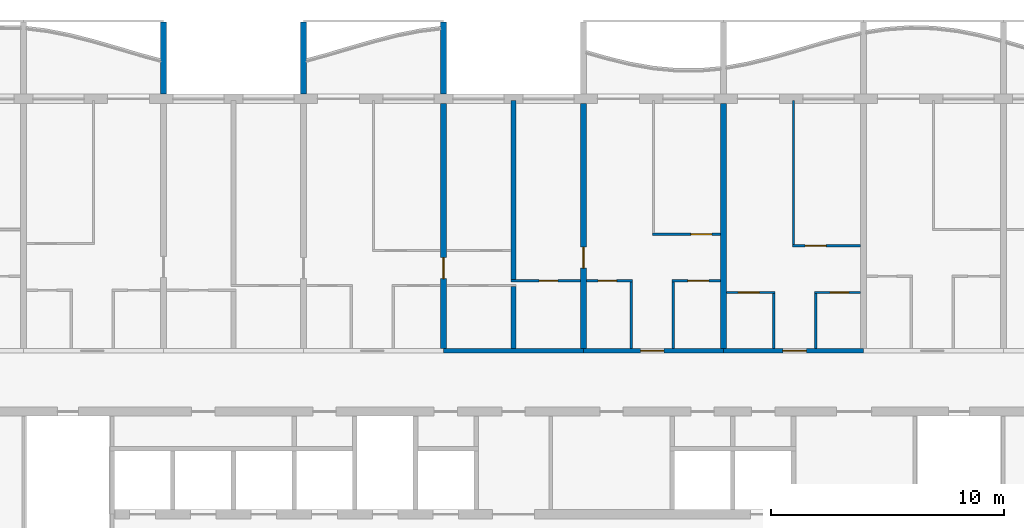
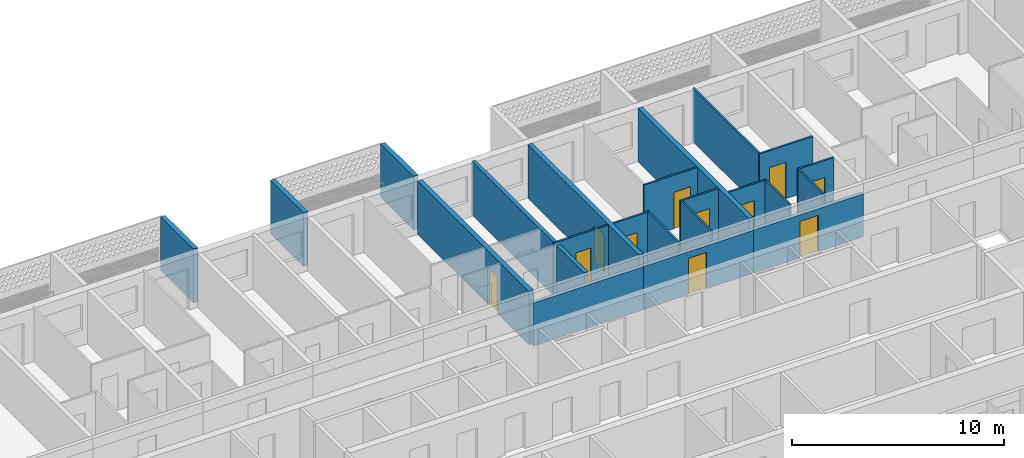
# One storey, part 9 of 28: 23 walls, 11 doors, 11 openings.
"""IFC4 building model written with IfcOpenShell, lengths in metres."""

from ifc_helpers import new_model, si_unit, direction, frame, frame_2d, origin, place, context, subcontext, project, spatial, polyline, rectangle, outline, extrude, source, transform, mapped, material, layer, layer_set, type_object, element, fill, save


model = new_model("IFC4")

# Units and contexts
model_context = context("Model", 3, precision=1e-05, world=origin(), true_north=direction((0.0, 1.0)))
body_context = subcontext(model_context, "Body", "Model", "MODEL_VIEW")
ifc_project = project(units=[si_unit("LENGTHUNIT", "METRE"), si_unit("AREAUNIT", "SQUARE_METRE"), si_unit("VOLUMEUNIT", "CUBIC_METRE"), si_unit("PLANEANGLEUNIT", "RADIAN"), si_unit("MASSUNIT", "GRAM", prefix="KILO")], contexts=[model_context])

# Site, building, storey
site_placement = place(None, origin())
site = spatial("IfcSite", under=ifc_project, at=site_placement, CompositionType="ELEMENT")
building_placement = place(site_placement, origin())
building = spatial("IfcBuilding", under=site, at=building_placement, Name="Poui Terraces", CompositionType="ELEMENT")
storey_placement = place(building_placement, frame((0.0, 0.0, 181.800048828125)))
storey = spatial("IfcBuildingStorey", under=building, at=storey_placement, Name="L50", CompositionType="ELEMENT", Elevation=181.800048828125)

# Wall
ifc_material_1 = material(Name="Concrete 50 MPa", Category="concrete")
ifc_layer_1 = layer(ifc_material_1, 0.199951171875)
ifc_layer_set_1 = layer_set([ifc_layer_1], Name="Concrete 50 MPa")
wall_type_1 = type_object("IfcWallType", Name="CORRIDOR WALL 200 50MPa", PredefinedType="SHEAR", material=ifc_layer_set_1)
wall_1_placement = place(storey_placement, frame((48.0, 30.39990234375, 0.0), z_axis=(0.0, 0.0, 1.0), x_axis=(1.0, 0.0, 0.0)))
element("IfcWall", 1, at=wall_1_placement, inside=storey, type_object=wall_type_1, Name="CORRIDOR WALL LINE E BAY 6", PredefinedType="SHEAR", context=body_context, shape_type="SweptSolid", body=[
    extrude(rectangle(XDim=6.0, YDim=0.199951171875, at=frame_2d((3.0, 0.0))), origin(), (0.0, 0.0, 1.0), 2.47998046875),
])

# Wall, opening, door
wall_2_placement = place(storey_placement, frame((54.0, 30.39990234375, 0.0), z_axis=(0.0, 0.0, 1.0), x_axis=(1.0, 0.0, 0.0)))
wall_2 = element("IfcWall", 2, at=wall_2_placement, inside=storey, type_object=wall_type_1, Name="CORRIDOR WALL LINE E BAY 7", PredefinedType="SHEAR", context=body_context, shape_type="SweptSolid", body=[
    extrude(rectangle(XDim=6.0, YDim=0.199951171875, at=frame_2d((3.0, 0.0))), origin(), (0.0, 0.0, 1.0), 2.47998046875),
])
opening_1_placement = place(wall_2_placement, frame((2.449951171875, 0.0, 0.0)))
opening_1 = element("IfcOpeningElement", 3, at=opening_1_placement, cuts=wall_2, Name="Opening FD30S", PredefinedType="OPENING", context=body_context, shape_type="SweptSolid", body=[
    extrude(rectangle(XDim=1.0, YDim=2.10009765625, at=frame_2d((0.5, 1.050048828125))), frame((0.0, 0.10986328125, 0.0), z_axis=(0.0, -1.0, 0.0), x_axis=(1.0, 0.0, 0.0)), (0.0, 0.0, 1.0), 0.219970703125),
])
ifc_material_2 = material(Name="Steel fire door", Category="steel")
door_type_1 = type_object("IfcDoorType", Name="FLAT ENTRANCE DOOR 1000 X 2100", OperationType="NOTDEFINED", PredefinedType="DOOR", material=ifc_material_2)
door_1_placement = place(opening_1_placement, origin())
door_1 = element("IfcDoor", 4, at=door_1_placement, inside=storey, type_object=door_type_1, Name="FLAT ENTRANCE DOOR 049", OperationType="SINGLE_SWING_LEFT", OverallHeight=2.10009765625, OverallWidth=1.0, PredefinedType="DOOR", context=body_context, shape_type="SweptSolid", body=[
    extrude(rectangle(XDim=1.0, YDim=2.10009765625, at=frame_2d((0.5, 1.050048828125))), frame((0.0, 0.02490234375, 0.0), z_axis=(0.0, -1.0, 0.0), x_axis=(1.0, 0.0, 0.0)), (0.0, 0.0, 1.0), 0.050048828125),
])
fill(opening_1, door_1)

wall_3_placement = place(storey_placement, frame((60.0, 30.39990234375, 0.0), z_axis=(0.0, 0.0, 1.0), x_axis=(1.0, 0.0, 0.0)))
wall_3 = element("IfcWall", 5, at=wall_3_placement, inside=storey, type_object=wall_type_1, Name="CORRIDOR WALL LINE E BAY 8", PredefinedType="SHEAR", context=body_context, shape_type="SweptSolid", body=[
    extrude(rectangle(XDim=6.0, YDim=0.199951171875, at=frame_2d((3.0, 0.0))), origin(), (0.0, 0.0, 1.0), 2.47998046875),
])
opening_2_placement = place(wall_3_placement, frame((2.550048828125, 0.0, 0.0)))
opening_2 = element("IfcOpeningElement", 6, at=opening_2_placement, cuts=wall_3, Name="Opening FD30S", PredefinedType="OPENING", context=body_context, shape_type="SweptSolid", body=[
    extrude(rectangle(XDim=1.0, YDim=2.10009765625, at=frame_2d((0.5, 1.050048828125))), frame((0.0, 0.10986328125, 0.0), z_axis=(0.0, -1.0, 0.0), x_axis=(1.0, 0.0, 0.0)), (0.0, 0.0, 1.0), 0.219970703125),
])
door_2_placement = place(opening_2_placement, origin())
door_2 = element("IfcDoor", 7, at=door_2_placement, inside=storey, type_object=door_type_1, Name="FLAT ENTRANCE DOOR 053", OperationType="SINGLE_SWING_RIGHT", OverallHeight=2.10009765625, OverallWidth=1.0, PredefinedType="DOOR", context=body_context, shape_type="SweptSolid", body=[
    extrude(rectangle(XDim=1.0, YDim=2.10009765625, at=frame_2d((0.5, 1.050048828125))), frame((0.0, 0.02490234375, 0.0), z_axis=(0.0, -1.0, 0.0), x_axis=(1.0, 0.0, 0.0)), (0.0, 0.0, 1.0), 0.050048828125),
])
fill(opening_2, door_2)

ifc_layer_2 = layer(ifc_material_1, 0.25)
ifc_layer_set_2 = layer_set([ifc_layer_2], Name="Concrete 50 MPa")
wall_type_2 = type_object("IfcWallType", Name="CROSS WALL 250 50MPa", PredefinedType="SHEAR", material=ifc_layer_set_2)
wall_4_placement = place(storey_placement, frame((48.0, 30.5, 0.0), z_axis=(0.0, 0.0, 1.0), x_axis=(0.0, 1.0, 0.0)))
wall_4 = element("IfcWall", 8, at=wall_4_placement, inside=storey, type_object=wall_type_2, Name="CROSS WALL LINE 9 NORTH", PredefinedType="SHEAR", context=body_context, shape_type="SweptSolid", body=[
    extrude(rectangle(XDim=10.5, YDim=0.25, at=frame_2d((5.25, 0.0))), origin(), (0.0, 0.0, 1.0), 3.079833984375),
])
opening_3_placement = place(wall_4_placement, frame((3.0, 0.0, 0.0)))
opening_3 = element("IfcOpeningElement", 9, at=opening_3_placement, cuts=wall_4, Name="Opening D90", PredefinedType="OPENING", context=body_context, shape_type="SweptSolid", body=[
    extrude(rectangle(XDim=0.89990234375, YDim=2.10009765625, at=frame_2d((0.449951171875, 1.050048828125))), frame((0.0, 0.135009765625, 0.0), z_axis=(0.0, -1.0, 0.0), x_axis=(1.0, 0.0, 0.0)), (0.0, 0.0, 1.0), 0.27001953125),
])
ifc_material_3 = material(Name="Solid core timber door", Category="wood")
door_type_2 = type_object("IfcDoorType", Name="INTERNAL DOOR 900 X 2100", OperationType="NOTDEFINED", PredefinedType="DOOR", material=ifc_material_3)
door_3_placement = place(opening_3_placement, origin())
door_3 = element("IfcDoor", 10, at=door_3_placement, inside=storey, type_object=door_type_2, Name="INTERNAL DOOR 045", OperationType="SINGLE_SWING_LEFT", OverallHeight=2.10009765625, OverallWidth=0.89990234375, PredefinedType="DOOR", context=body_context, shape_type="SweptSolid", body=[
    extrude(rectangle(XDim=0.89990234375, YDim=2.10009765625, at=frame_2d((0.449951171875, 1.050048828125))), frame((0.0, 0.02490234375, 0.0), z_axis=(0.0, -1.0, 0.0), x_axis=(1.0, 0.0, 0.0)), (0.0, 0.0, 1.0), 0.050048828125),
])
fill(opening_3, door_3)

wall_5_placement = place(storey_placement, frame((54.0, 30.5, 0.0), z_axis=(0.0, 0.0, 1.0), x_axis=(0.0, 1.0, 0.0)))
wall_5 = element("IfcWall", 11, at=wall_5_placement, inside=storey, type_object=wall_type_2, Name="CROSS WALL LINE 10 NORTH", PredefinedType="SHEAR", context=body_context, shape_type="SweptSolid", body=[
    extrude(rectangle(XDim=10.5, YDim=0.25, at=frame_2d((5.25, 0.0))), origin(), (0.0, 0.0, 1.0), 3.079833984375),
])
opening_4_placement = place(wall_5_placement, frame((3.449951171875, 0.0, 0.0)))
opening_4 = element("IfcOpeningElement", 12, at=opening_4_placement, cuts=wall_5, Name="Opening D90", PredefinedType="OPENING", context=body_context, shape_type="SweptSolid", body=[
    extrude(rectangle(XDim=0.89990234375, YDim=2.10009765625, at=frame_2d((0.449951171875, 1.050048828125))), frame((0.0, 0.135009765625, 0.0), z_axis=(0.0, -1.0, 0.0), x_axis=(1.0, 0.0, 0.0)), (0.0, 0.0, 1.0), 0.27001953125),
])
door_4_placement = place(opening_4_placement, origin())
door_4 = element("IfcDoor", 13, at=door_4_placement, inside=storey, type_object=door_type_2, Name="INTERNAL DOOR 047", OperationType="SINGLE_SWING_LEFT", OverallHeight=2.10009765625, OverallWidth=0.89990234375, PredefinedType="DOOR", context=body_context, shape_type="SweptSolid", body=[
    extrude(rectangle(XDim=0.89990234375, YDim=2.10009765625, at=frame_2d((0.449951171875, 1.050048828125))), frame((0.0, 0.02490234375, 0.0), z_axis=(0.0, -1.0, 0.0), x_axis=(1.0, 0.0, 0.0)), (0.0, 0.0, 1.0), 0.050048828125),
])
fill(opening_4, door_4)

# Wall
wall_6_placement = place(storey_placement, frame((60.0, 30.5, 0.0), z_axis=(0.0, 0.0, 1.0), x_axis=(0.0, 1.0, 0.0)))
element("IfcWall", 14, at=wall_6_placement, inside=storey, type_object=wall_type_2, Name="CROSS WALL LINE 11 NORTH", PredefinedType="SHEAR", context=body_context, shape_type="SweptSolid", body=[
    extrude(rectangle(XDim=10.5, YDim=0.25, at=frame_2d((5.25, 0.0))), origin(), (0.0, 0.0, 1.0), 3.079833984375),
])

# Wall, opening, door
ifc_material_4 = material(Name="Plasterboard partition")
ifc_layer_3 = layer(ifc_material_4, 0.10009765625)
ifc_layer_set_3 = layer_set([ifc_layer_3], Name="Plasterboard partition")
wall_type_3 = type_object("IfcWallType", Name="FLAT PARTITION 100", PredefinedType="PARTITIONING", material=ifc_layer_set_3)
wall_7_placement = place(storey_placement, frame((60.135009765625, 32.89990234375, 0.0), z_axis=(0.0, 0.0, 1.0), x_axis=(1.0, 0.0, 0.0)))
wall_7 = element("IfcWall", 15, at=wall_7_placement, inside=storey, type_object=wall_type_3, Name="FLAT PARTITION 100", PredefinedType="PARTITIONING", context=body_context, shape_type="SweptSolid", body=[
    extrude(rectangle(XDim=2.06494140625, YDim=0.10009765625, at=frame_2d((1.032470703125, 0.0))), origin(), (0.0, 0.0, 1.0), 3.079833984375),
])
opening_5_placement = place(wall_7_placement, frame((0.489990234375, 0.0, 0.0)))
opening_5 = element("IfcOpeningElement", 16, at=opening_5_placement, cuts=wall_7, Name="Opening D90", PredefinedType="OPENING", context=body_context, shape_type="SweptSolid", body=[
    extrude(rectangle(XDim=0.89990234375, YDim=2.10009765625, at=frame_2d((0.449951171875, 1.050048828125))), frame((0.0, 0.06005859375, 0.0), z_axis=(0.0, -1.0, 0.0), x_axis=(1.0, 0.0, 0.0)), (0.0, 0.0, 1.0), 0.1201171875),
])
door_5_placement = place(opening_5_placement, frame((0.89990234375, 0.0, 0.0), z_axis=(0.0, 0.0, 1.0), x_axis=(-1.0, 0.0, 0.0)))
door_5 = element("IfcDoor", 17, at=door_5_placement, inside=storey, type_object=door_type_2, Name="INTERNAL DOOR 052", OperationType="SINGLE_SWING_LEFT", OverallHeight=2.10009765625, OverallWidth=0.89990234375, PredefinedType="DOOR", context=body_context, shape_type="SweptSolid", body=[
    extrude(rectangle(XDim=0.89990234375, YDim=2.10009765625, at=frame_2d((0.449951171875, 1.050048828125))), frame((0.0, 0.02490234375, 0.0), z_axis=(0.0, -1.0, 0.0), x_axis=(1.0, 0.0, 0.0)), (0.0, 0.0, 1.0), 0.050048828125),
])
fill(opening_5, door_5)

wall_8_placement = place(storey_placement, frame((63.89990234375, 32.89990234375, 0.0), z_axis=(0.0, 0.0, 1.0), x_axis=(1.0, 0.0, 0.0)))
wall_8 = element("IfcWall", 18, at=wall_8_placement, inside=storey, type_object=wall_type_3, Name="FLAT PARTITION 100", PredefinedType="PARTITIONING", context=body_context, shape_type="SweptSolid", body=[
    extrude(rectangle(XDim=1.965087890625, YDim=0.10009765625, at=frame_2d((0.982421875, 0.0))), origin(), (0.0, 0.0, 1.0), 3.079833984375),
])
opening_6_placement = place(wall_8_placement, frame((0.675048828125, 0.0, 0.0)))
opening_6 = element("IfcOpeningElement", 19, at=opening_6_placement, cuts=wall_8, Name="Opening D80", PredefinedType="OPENING", context=body_context, shape_type="SweptSolid", body=[
    extrude(rectangle(XDim=0.800048828125, YDim=2.10009765625, at=frame_2d((0.39990234375, 1.050048828125))), frame((0.0, 0.06005859375, 0.0), z_axis=(0.0, -1.0, 0.0), x_axis=(1.0, 0.0, 0.0)), (0.0, 0.0, 1.0), 0.1201171875),
])
door_type_3 = type_object("IfcDoorType", Name="BATHROOM, LAUNDRY AND STORE DOOR 800 X 2100", OperationType="NOTDEFINED", PredefinedType="DOOR", material=ifc_material_3)
door_6_placement = place(opening_6_placement, frame((0.800048828125, 0.0, 0.0), z_axis=(0.0, 0.0, 1.0), x_axis=(-1.0, 0.0, 0.0)))
door_6 = element("IfcDoor", 20, at=door_6_placement, inside=storey, type_object=door_type_3, Name="BATHROOM, LAUNDRY AND STORE DOOR 055", OperationType="SINGLE_SWING_RIGHT", OverallHeight=2.10009765625, OverallWidth=0.800048828125, PredefinedType="DOOR", context=body_context, shape_type="SweptSolid", body=[
    extrude(rectangle(XDim=0.800048828125, YDim=2.10009765625, at=frame_2d((0.39990234375, 1.050048828125))), frame((0.0, 0.02490234375, 0.0), z_axis=(0.0, -1.0, 0.0), x_axis=(1.0, 0.0, 0.0)), (0.0, 0.0, 1.0), 0.050048828125),
])
fill(opening_6, door_6)

wall_9_placement = place(storey_placement, frame((50.89990234375, 33.39990234375, 0.0), z_axis=(0.0, 0.0, 1.0), x_axis=(1.0, 0.0, 0.0)))
wall_9 = element("IfcWall", 21, at=wall_9_placement, inside=storey, type_object=wall_type_3, Name="FLAT PARTITION 100", PredefinedType="PARTITIONING", context=body_context, shape_type="SweptSolid", body=[
    extrude(rectangle(XDim=2.965087890625, YDim=0.10009765625, at=frame_2d((1.482421875, 0.0))), origin(), (0.0, 0.0, 1.0), 3.079833984375),
])
opening_7_placement = place(wall_9_placement, frame((1.199951171875, 0.0, 0.0)))
opening_7 = element("IfcOpeningElement", 22, at=opening_7_placement, cuts=wall_9, Name="Opening D80", PredefinedType="OPENING", context=body_context, shape_type="SweptSolid", body=[
    extrude(rectangle(XDim=0.800048828125, YDim=2.10009765625, at=frame_2d((0.39990234375, 1.050048828125))), frame((0.0, 0.06005859375, 0.0), z_axis=(0.0, -1.0, 0.0), x_axis=(1.0, 0.0, 0.0)), (0.0, 0.0, 1.0), 0.1201171875),
])
door_7_placement = place(opening_7_placement, frame((0.800048828125, 0.0, 0.0), z_axis=(0.0, 0.0, 1.0), x_axis=(-1.0, 0.0, 0.0)))
door_7 = element("IfcDoor", 23, at=door_7_placement, inside=storey, type_object=door_type_3, Name="BATHROOM, LAUNDRY AND STORE DOOR 046", OperationType="SINGLE_SWING_RIGHT", OverallHeight=2.10009765625, OverallWidth=0.800048828125, PredefinedType="DOOR", context=body_context, shape_type="SweptSolid", body=[
    extrude(rectangle(XDim=0.800048828125, YDim=2.10009765625, at=frame_2d((0.39990234375, 1.050048828125))), frame((0.0, 0.02490234375, 0.0), z_axis=(0.0, -1.0, 0.0), x_axis=(1.0, 0.0, 0.0)), (0.0, 0.0, 1.0), 0.050048828125),
])
fill(opening_7, door_7)

wall_10_placement = place(storey_placement, frame((54.135009765625, 33.39990234375, 0.0), z_axis=(0.0, 0.0, 1.0), x_axis=(1.0, 0.0, 0.0)))
wall_10 = element("IfcWall", 24, at=wall_10_placement, inside=storey, type_object=wall_type_3, Name="FLAT PARTITION 100", PredefinedType="PARTITIONING", context=body_context, shape_type="SweptSolid", body=[
    extrude(rectangle(XDim=1.965087890625, YDim=0.10009765625, at=frame_2d((0.982421875, 0.0))), origin(), (0.0, 0.0, 1.0), 3.079833984375),
])
opening_8_placement = place(wall_10_placement, frame((0.489990234375, 0.0, 0.0)))
opening_8 = element("IfcOpeningElement", 25, at=opening_8_placement, cuts=wall_10, Name="Opening D80", PredefinedType="OPENING", context=body_context, shape_type="SweptSolid", body=[
    extrude(rectangle(XDim=0.800048828125, YDim=2.10009765625, at=frame_2d((0.39990234375, 1.050048828125))), frame((0.0, 0.06005859375, 0.0), z_axis=(0.0, -1.0, 0.0), x_axis=(1.0, 0.0, 0.0)), (0.0, 0.0, 1.0), 0.1201171875),
])
door_8_placement = place(opening_8_placement, frame((0.800048828125, 0.0, 0.0), z_axis=(0.0, 0.0, 1.0), x_axis=(-1.0, 0.0, 0.0)))
door_8 = element("IfcDoor", 26, at=door_8_placement, inside=storey, type_object=door_type_3, Name="BATHROOM, LAUNDRY AND STORE DOOR 048", OperationType="SINGLE_SWING_RIGHT", OverallHeight=2.10009765625, OverallWidth=0.800048828125, PredefinedType="DOOR", context=body_context, shape_type="SweptSolid", body=[
    extrude(rectangle(XDim=0.800048828125, YDim=2.10009765625, at=frame_2d((0.39990234375, 1.050048828125))), frame((0.0, 0.02490234375, 0.0), z_axis=(0.0, -1.0, 0.0), x_axis=(1.0, 0.0, 0.0)), (0.0, 0.0, 1.0), 0.050048828125),
])
fill(opening_8, door_8)

wall_11_placement = place(storey_placement, frame((57.800048828125, 33.39990234375, 0.0), z_axis=(0.0, 0.0, 1.0), x_axis=(1.0, 0.0, 0.0)))
wall_11 = element("IfcWall", 27, at=wall_11_placement, inside=storey, type_object=wall_type_3, Name="FLAT PARTITION 100", PredefinedType="PARTITIONING", context=body_context, shape_type="SweptSolid", body=[
    extrude(rectangle(XDim=2.06494140625, YDim=0.10009765625, at=frame_2d((1.032470703125, 0.0))), origin(), (0.0, 0.0, 1.0), 3.079833984375),
])
opening_9_placement = place(wall_11_placement, frame((0.675048828125, 0.0, 0.0)))
opening_9 = element("IfcOpeningElement", 28, at=opening_9_placement, cuts=wall_11, Name="Opening D90", PredefinedType="OPENING", context=body_context, shape_type="SweptSolid", body=[
    extrude(rectangle(XDim=0.89990234375, YDim=2.10009765625, at=frame_2d((0.449951171875, 1.050048828125))), frame((0.0, 0.06005859375, 0.0), z_axis=(0.0, -1.0, 0.0), x_axis=(1.0, 0.0, 0.0)), (0.0, 0.0, 1.0), 0.1201171875),
])
door_9_placement = place(opening_9_placement, frame((0.89990234375, 0.0, 0.0), z_axis=(0.0, 0.0, 1.0), x_axis=(-1.0, 0.0, 0.0)))
door_9 = element("IfcDoor", 29, at=door_9_placement, inside=storey, type_object=door_type_2, Name="INTERNAL DOOR 050", OperationType="SINGLE_SWING_LEFT", OverallHeight=2.10009765625, OverallWidth=0.89990234375, PredefinedType="DOOR", context=body_context, shape_type="SweptSolid", body=[
    extrude(rectangle(XDim=0.89990234375, YDim=2.10009765625, at=frame_2d((0.449951171875, 1.050048828125))), frame((0.0, 0.02490234375, 0.0), z_axis=(0.0, -1.0, 0.0), x_axis=(1.0, 0.0, 0.0)), (0.0, 0.0, 1.0), 0.050048828125),
])
fill(opening_9, door_9)

wall_12_placement = place(storey_placement, frame((62.949951171875, 34.89990234375, 0.0), z_axis=(0.0, 0.0, 1.0), x_axis=(1.0, 0.0, 0.0)))
wall_12 = element("IfcWall", 30, at=wall_12_placement, inside=storey, type_object=wall_type_3, Name="FLAT PARTITION 100", PredefinedType="PARTITIONING", context=body_context, shape_type="SweptSolid", body=[
    extrude(rectangle(XDim=2.9150390625, YDim=0.10009765625, at=frame_2d((1.45751953125, 0.0))), origin(), (0.0, 0.0, 1.0), 3.079833984375),
])
opening_10_placement = place(wall_12_placement, frame((0.550048828125, 0.0, 0.0)))
opening_10 = element("IfcOpeningElement", 31, at=opening_10_placement, cuts=wall_12, Name="Opening D90", PredefinedType="OPENING", context=body_context, shape_type="SweptSolid", body=[
    extrude(rectangle(XDim=0.89990234375, YDim=2.10009765625, at=frame_2d((0.449951171875, 1.050048828125))), frame((0.0, 0.06005859375, 0.0), z_axis=(0.0, -1.0, 0.0), x_axis=(1.0, 0.0, 0.0)), (0.0, 0.0, 1.0), 0.1201171875),
])
door_10_placement = place(opening_10_placement, frame((0.89990234375, 0.0, 0.0), z_axis=(0.0, 0.0, 1.0), x_axis=(-1.0, 0.0, 0.0)))
door_10 = element("IfcDoor", 32, at=door_10_placement, inside=storey, type_object=door_type_2, Name="INTERNAL DOOR 054", OperationType="SINGLE_SWING_LEFT", OverallHeight=2.10009765625, OverallWidth=0.89990234375, PredefinedType="DOOR", context=body_context, shape_type="SweptSolid", body=[
    extrude(rectangle(XDim=0.89990234375, YDim=2.10009765625, at=frame_2d((0.449951171875, 1.050048828125))), frame((0.0, 0.02490234375, 0.0), z_axis=(0.0, -1.0, 0.0), x_axis=(1.0, 0.0, 0.0)), (0.0, 0.0, 1.0), 0.050048828125),
])
fill(opening_10, door_10)

wall_13_placement = place(storey_placement, frame((56.949951171875, 35.39990234375, 0.0), z_axis=(0.0, 0.0, 1.0), x_axis=(1.0, 0.0, 0.0)))
wall_13 = element("IfcWall", 33, at=wall_13_placement, inside=storey, type_object=wall_type_3, Name="FLAT PARTITION 100", PredefinedType="PARTITIONING", context=body_context, shape_type="SweptSolid", body=[
    extrude(rectangle(XDim=2.9150390625, YDim=0.10009765625, at=frame_2d((1.45751953125, 0.0))), origin(), (0.0, 0.0, 1.0), 3.079833984375),
])
opening_11_placement = place(wall_13_placement, frame((1.64990234375, 0.0, 0.0)))
opening_11 = element("IfcOpeningElement", 34, at=opening_11_placement, cuts=wall_13, Name="Opening D90", PredefinedType="OPENING", context=body_context, shape_type="SweptSolid", body=[
    extrude(rectangle(XDim=0.89990234375, YDim=2.10009765625, at=frame_2d((0.449951171875, 1.050048828125))), frame((0.0, 0.06005859375, 0.0), z_axis=(0.0, -1.0, 0.0), x_axis=(1.0, 0.0, 0.0)), (0.0, 0.0, 1.0), 0.1201171875),
])
door_11_placement = place(opening_11_placement, frame((0.89990234375, 0.0, 0.0), z_axis=(0.0, 0.0, 1.0), x_axis=(-1.0, 0.0, 0.0)))
door_11 = element("IfcDoor", 35, at=door_11_placement, inside=storey, type_object=door_type_2, Name="INTERNAL DOOR 051", OperationType="SINGLE_SWING_RIGHT", OverallHeight=2.10009765625, OverallWidth=0.89990234375, PredefinedType="DOOR", context=body_context, shape_type="SweptSolid", body=[
    extrude(rectangle(XDim=0.89990234375, YDim=2.10009765625, at=frame_2d((0.449951171875, 1.050048828125))), frame((0.0, 0.02490234375, 0.0), z_axis=(0.0, -1.0, 0.0), x_axis=(1.0, 0.0, 0.0)), (0.0, 0.0, 1.0), 0.050048828125),
])
fill(opening_11, door_11)

# Walls
for number, where, z_axis, x_axis, name in (
    (36, (56.050048828125, 30.510009765625, 0.0), (0.0, 0.0, 1.0), (0.0, 1.0, 0.0), "FLAT PARTITION 100"),
    (37, (57.85009765625, 30.510009765625, 0.0), (0.0, 0.0, 1.0), (0.0, 1.0, 0.0), "FLAT PARTITION 100"),
):
    element("IfcWall", number, at=place(storey_placement, frame(where, z_axis=z_axis, x_axis=x_axis)), inside=storey, type_object=wall_type_3, Name=name, PredefinedType="PARTITIONING", context=body_context, shape_type="SweptSolid", body=[
        extrude(rectangle(XDim=2.840087890625, YDim=0.10009765625, at=frame_2d((1.419921875, 0.0))), origin(), (0.0, 0.0, 1.0), 3.079833984375),
    ])
wall_14_placement = place(storey_placement, frame((62.14990234375, 30.510009765625, 0.0), z_axis=(0.0, 0.0, 1.0), x_axis=(0.0, 1.0, 0.0)))
element("IfcWall", 38, at=wall_14_placement, inside=storey, type_object=wall_type_3, Name="FLAT PARTITION 100", PredefinedType="PARTITIONING", context=body_context, shape_type="SweptSolid", body=[
    extrude(rectangle(XDim=2.340087890625, YDim=0.10009765625, at=frame_2d((1.169921875, 0.0))), origin(), (0.0, 0.0, 1.0), 3.079833984375),
])
wall_15_placement = place(storey_placement, frame((63.0, 34.949951171875, 0.0), z_axis=(0.0, 0.0, 1.0), x_axis=(0.0, 1.0, 0.0)))
element("IfcWall", 39, at=wall_15_placement, inside=storey, type_object=wall_type_3, Name="FLAT PARTITION 100", PredefinedType="PARTITIONING", context=body_context, shape_type="SweptSolid", body=[
    extrude(rectangle(XDim=6.18994140625, YDim=0.10009765625, at=frame_2d((3.094970703125, 0.0))), origin(), (0.0, 0.0, 1.0), 3.079833984375),
])
wall_16_placement = place(storey_placement, frame((63.949951171875, 30.510009765625, 0.0), z_axis=(0.0, 0.0, 1.0), x_axis=(0.0, 1.0, 0.0)))
element("IfcWall", 40, at=wall_16_placement, inside=storey, type_object=wall_type_3, Name="FLAT PARTITION 100", PredefinedType="PARTITIONING", context=body_context, shape_type="SweptSolid", body=[
    extrude(rectangle(XDim=2.340087890625, YDim=0.10009765625, at=frame_2d((1.169921875, 0.0))), origin(), (0.0, 0.0, 1.0), 3.079833984375),
])
ifc_material_5 = material(Name="Fire-rated masonry wall", Category="masonry")
ifc_layer_4 = layer(ifc_material_5, 0.199951171875)
ifc_layer_set_4 = layer_set([ifc_layer_4], Name="Fire-rated masonry wall")
wall_type_4 = type_object("IfcWallType", Name="FLAT PARTY WALL 200", PredefinedType="PARTITIONING", material=ifc_layer_set_4)
wall_17_placement = place(storey_placement, frame((51.0, 30.510009765625, 0.0), z_axis=(0.0, 0.0, 1.0), x_axis=(0.0, 1.0, 0.0)))
element("IfcWall", 41, at=wall_17_placement, inside=storey, type_object=wall_type_4, Name="FLAT PARTY WALL 200", PredefinedType="PARTITIONING", context=body_context, shape_type="SweptSolid", body=[
    extrude(rectangle(XDim=2.639892578125, YDim=0.199951171875, at=frame_2d((1.31982421875, 0.0))), origin(), (0.0, 0.0, 1.0), 3.079833984375),
])
wall_18_placement = place(storey_placement, frame((51.0, 33.449951171875, 0.0), z_axis=(0.0, 0.0, 1.0), x_axis=(0.0, 1.0, 0.0)))
element("IfcWall", 42, at=wall_18_placement, inside=storey, type_object=wall_type_4, Name="FLAT PARTY WALL 200", PredefinedType="PARTITIONING", context=body_context, shape_type="SweptSolid", body=[
    extrude(rectangle(XDim=7.68994140625, YDim=0.199951171875, at=frame_2d((3.844970703125, 0.0))), origin(), (0.0, 0.0, 1.0), 3.079833984375),
])
ifc_material_6 = material(Name="Precast concrete 40 MPa", Category="concrete")
ifc_layer_5 = layer(ifc_material_6, 0.25)
ifc_layer_set_5 = layer_set([ifc_layer_5], Name="Precast concrete 40 MPa")
wall_type_5 = type_object("IfcWallType", Name="BALCONY FIN 250", PredefinedType="STANDARD", material=ifc_layer_set_5)
shared_shape = source(origin(), body_context, "Body", "SweptSolid", [
    extrude(outline(polyline([(0.0, 0.0), (0.25, 0.0), (0.25, 3.10009765625), (0.0, 3.10009765625), (0.0, 0.0)])), origin(), (0.0, 0.0, 1.0), 3.099853515625),
])
for number, where, name in (
    (43, (35.875, 41.39990234375, 0.0), "BALCONY FIN"),
    (44, (41.875, 41.39990234375, 0.0), "BALCONY FIN"),
    (45, (47.875, 41.39990234375, 0.0), "BALCONY FIN"),
):
    element("IfcWall", number, at=place(storey_placement, frame(where)), inside=storey, type_object=wall_type_5, Name=name, PredefinedType="STANDARD", context=body_context, shape_type="MappedRepresentation", body=[
        mapped(shared_shape, transform((0.0, 0.0, 0.0))),
    ])

save(model, "model.ifc")
